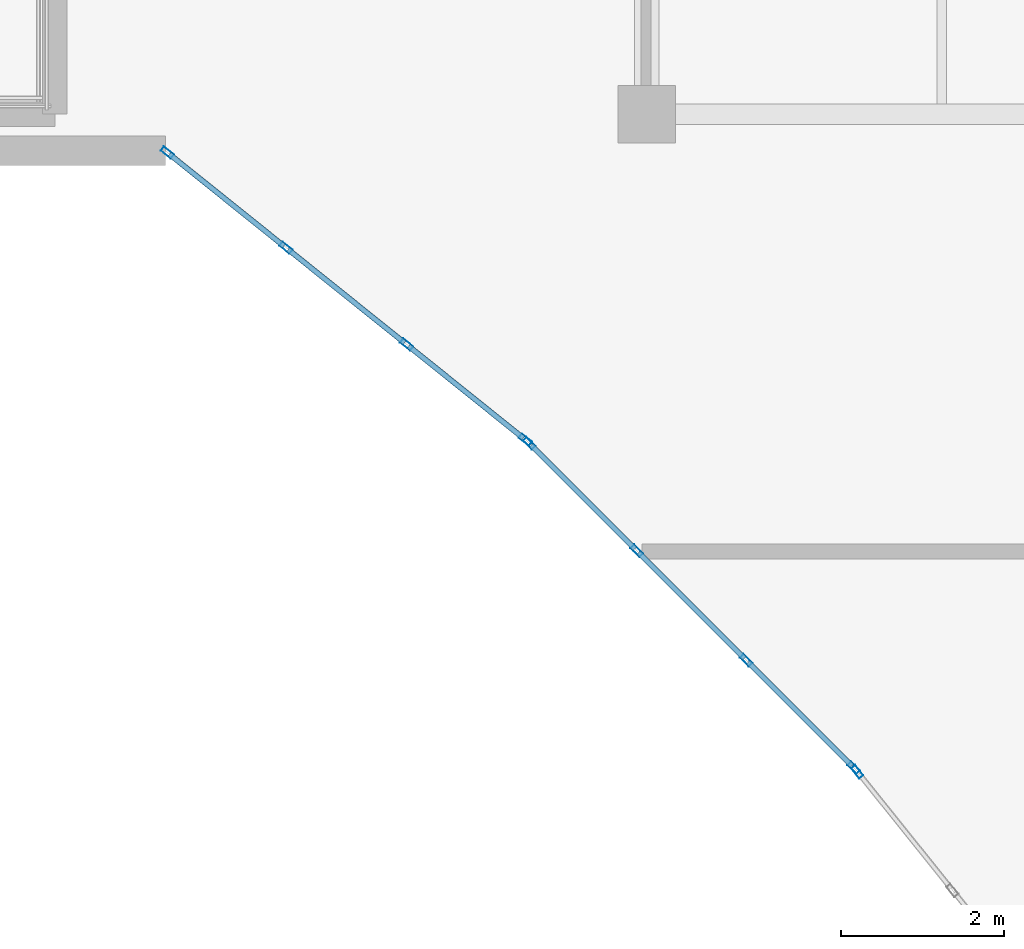
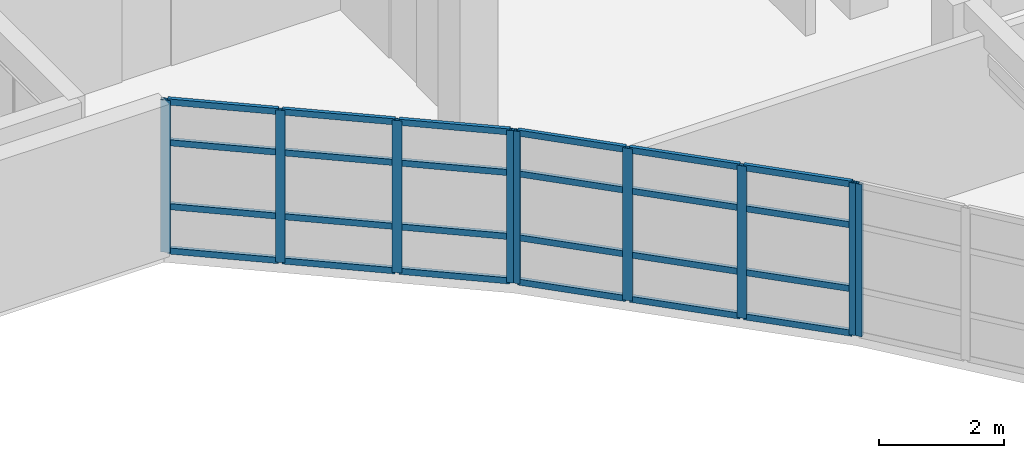
# One storey, part 65 of 128: 33 members, 3 elements without a shape of their own.
"""IFC4 building model written with IfcOpenShell, lengths in metres."""

import ifcopenshell
import ifcopenshell.guid

model = None  # the IFC model being written
_history = None  # IfcOwnerHistory: only IFC2X3 demands one
_inside = {}  # id of a spatial element -> (the spatial element, [elements in it])
_under = {}  # id of a project, library or spatial element -> (it, [spatial elements below it])
_declared = {}  # id of a project -> (the project, [libraries it declares])
_typed = {}  # id of a type object -> (the type object, [elements of that type])
_made_of = {}  # id of a material, layer set ... -> (it, [elements and type objects made of it])


def new_model(schema):
    """Start an empty IFC model of exactly this schema.

    Asked for "IFC4X3", IfcOpenShell would pick the latest addendum, in which some entities
    have other attributes; the version numbers below select the first issue.
    IFC2X3 requires an IfcOwnerHistory on every rooted entity: one is made here for all.
    """
    global model, _history
    if schema == "IFC4X3":
        model = ifcopenshell.file(schema_version=(4, 3, 0, 0))
    else:
        model = ifcopenshell.file(schema=schema)
    _inside.clear()
    _under.clear()
    _declared.clear()
    _typed.clear()
    _made_of.clear()
    _history = None
    if model.schema == "IFC2X3":
        org = make("IfcOrganization", Name="unknown")
        user = make(
            "IfcPersonAndOrganization",
            ThePerson=make("IfcPerson", FamilyName="unknown"),
            TheOrganization=org,
        )
        app = make(
            "IfcApplication",
            ApplicationDeveloper=org,
            Version="unknown",
            ApplicationFullName="unknown",
            ApplicationIdentifier="unknown",
        )
        _history = make(
            "IfcOwnerHistory",
            OwningUser=user,
            OwningApplication=app,
            ChangeAction="ADDED",
            CreationDate=0,
        )
    return model


def make(cls, **values):
    """One entity of the class cls with the attributes given. An attribute that is None is left unset."""
    return model.create_entity(
        cls, **{name: value for name, value in values.items() if value is not None}
    )


def rooted(cls, **values):
    """An entity with a GlobalId (a new one), such as an element, a storey or a relation."""
    return make(cls, GlobalId=ifcopenshell.guid.new(), OwnerHistory=_history, **values)


def si_unit(unit_type, name, prefix=None):
    """IfcSIUnit, for example si_unit("LENGTHUNIT", "METRE", prefix="MILLI")."""
    return make("IfcSIUnit", UnitType=unit_type, Prefix=prefix, Name=name)


def assignment(units):
    """IfcUnitAssignment: the units of a project."""
    return None if units is None else make("IfcUnitAssignment", Units=units)


def point(xyz):
    """IfcCartesianPoint."""
    return None if xyz is None else make("IfcCartesianPoint", Coordinates=xyz)


def direction(xyz):
    """IfcDirection."""
    return None if xyz is None else make("IfcDirection", DirectionRatios=xyz)


def frame(location, z_axis=None, x_axis=None):
    """IfcAxis2Placement3D, a coordinate frame: its origin and axes. An axis left out is left unset."""
    return make(
        "IfcAxis2Placement3D",
        Location=point(location),
        Axis=direction(z_axis),
        RefDirection=direction(x_axis),
    )


def frame_2d(location, x_axis=None):
    """IfcAxis2Placement2D, a coordinate frame in the plane: its origin and x axis."""
    return make(
        "IfcAxis2Placement2D", Location=point(location), RefDirection=direction(x_axis)
    )


def origin():
    """The frame at (0, 0, 0) with its axes left unset."""
    return frame((0.0, 0.0, 0.0))


def origin_2d():
    """The frame at (0, 0) in the plane with its x axis left unset."""
    return frame_2d((0.0, 0.0))


def place(relative_to, where):
    """IfcLocalPlacement: puts the frame where relative to a parent placement (None: the world)."""
    return make(
        "IfcLocalPlacement", PlacementRelTo=relative_to, RelativePlacement=where
    )


def context(
    kind, dimensions, precision=None, world=None, true_north=None, identifier=None
):
    """IfcGeometricRepresentationContext, for example the 3D "Model" context."""
    return make(
        "IfcGeometricRepresentationContext",
        ContextIdentifier=identifier,
        ContextType=kind,
        CoordinateSpaceDimension=dimensions,
        Precision=precision,
        WorldCoordinateSystem=world,
        TrueNorth=true_north,
    )


def subcontext(parent, identifier, kind, view, scale=None):
    """IfcGeometricRepresentationSubContext, for example "Body" below "Model"."""
    return make(
        "IfcGeometricRepresentationSubContext",
        ContextIdentifier=identifier,
        ContextType=kind,
        ParentContext=parent,
        TargetScale=scale,
        TargetView=view,
    )


def project(units=None, contexts=None):
    """IfcProject with its units and contexts."""
    return rooted(
        "IfcProject",
        Name="project",
        RepresentationContexts=contexts,
        UnitsInContext=assignment(units),
    )


def spatial(cls, under=None, at=None, **own):
    """A site, building, storey or space (cls), placed at a placement, below another one or the project."""
    s = rooted(cls, ObjectPlacement=at, **own)
    if under is not None:
        _under.setdefault(under.id(), (under, []))[1].append(s)
    return s


def profile(cls, at=None, kind="AREA", **sizes):
    """A parametric profile (cls). Its sizes go by their IFC names, for example OverallWidth=200.0."""
    return make(cls, ProfileType=kind, Position=at, **sizes)


def hollow_rectangle(**sizes):
    """IfcRectangleHollowProfileDef."""
    return profile("IfcRectangleHollowProfileDef", **sizes)


def extrude(swept, where, along, depth):
    """IfcExtrudedAreaSolid: the profile swept, set in the frame where, extruded along a direction by depth."""
    return make(
        "IfcExtrudedAreaSolid",
        SweptArea=swept,
        Position=where,
        ExtrudedDirection=direction(along),
        Depth=depth,
    )


def shape(context_of_items, identifier, shape_type, items):
    """IfcShapeRepresentation: the items that make up one representation, for example the "Body"."""
    return make(
        "IfcShapeRepresentation",
        ContextOfItems=context_of_items,
        RepresentationIdentifier=identifier,
        RepresentationType=shape_type,
        Items=items,
    )


def material(Name=None, Category=None):
    """IfcMaterial."""
    return make("IfcMaterial", Name=Name, Category=Category)


def layer(
    of_material, thickness, ventilated=None, Name=None, Category=None, Priority=None
):
    """IfcMaterialLayer: one layer of a wall or slab, of a material (None: an air gap)."""
    return make(
        "IfcMaterialLayer",
        Material=of_material,
        LayerThickness=thickness,
        IsVentilated=ventilated,
        Name=Name,
        Category=Category,
        Priority=Priority,
    )


def layer_set(layers, Name=None):
    """IfcMaterialLayerSet."""
    return make("IfcMaterialLayerSet", MaterialLayers=layers, LayerSetName=Name)


def material_profile(
    of_material, cross_section, Name=None, Category=None, Priority=None
):
    """IfcMaterialProfile: a cross section and its material."""
    return make(
        "IfcMaterialProfile",
        Name=Name,
        Material=of_material,
        Profile=cross_section,
        Priority=Priority,
        Category=Category,
    )


def profile_set(profiles, Name=None, composite=None):
    """IfcMaterialProfileSet."""
    return make(
        "IfcMaterialProfileSet",
        Name=Name,
        MaterialProfiles=profiles,
        CompositeProfile=composite,
    )


def made_of(thing, what):
    """Note that an element or type object is made of a material, layer set ...; save() writes the relation."""
    if what is not None:
        _made_of.setdefault(what.id(), (what, []))[1].append(thing)
    return thing


def type_object(cls, material=None, **own):
    """A type object (cls), such as IfcWallType, which elements share."""
    return made_of(rooted(cls, **own), material)


def element(
    cls,
    number,
    at=None,
    inside=None,
    cuts=None,
    type_object=None,
    material=None,
    context=None,
    identifier="Body",
    shape_type=None,
    held_by="IfcProductDefinitionShape",
    body=None,
    shapes=None,
    **own,
):
    """One element of the class cls, such as IfcWall. Its Tag is "e" and its number.

    at: its placement. inside: the storey or other place that contains it. cuts: it is an
    opening in that element (IfcRelVoidsElement). A single representation is given by context,
    identifier, shape_type and body (its items); several are given by shapes. held_by: the class
    of the entity that holds the representations. save() writes the other relations.
    """
    e = rooted(cls, Tag="e%d" % number, ObjectPlacement=at, **own)
    if body is not None:
        shapes = [shape(context, identifier, shape_type, body)]
    if shapes is not None:
        e.Representation = make(held_by, Representations=shapes)
    if inside is not None:
        _inside.setdefault(inside.id(), (inside, []))[1].append(e)
    if cuts is not None:
        rooted(
            "IfcRelVoidsElement", RelatingBuildingElement=cuts, RelatedOpeningElement=e
        )
    if type_object is not None:
        _typed.setdefault(type_object.id(), (type_object, []))[1].append(e)
    return made_of(e, material)


def aggregate(whole, parts):
    """IfcRelAggregates: a whole, such as a stair, and the parts it consists of."""
    return rooted("IfcRelAggregates", RelatingObject=whole, RelatedObjects=parts)


def save(model, path):
    """Write the relations noted so far, then the file.

    IfcRelAggregates (storeys below a building ...), IfcRelContainedInSpatialStructure (elements
    in a storey), IfcRelDefinesByType, IfcRelAssociatesMaterial and IfcRelDeclares: one each for
    every whole, place, type object, material and project.
    """
    for whole, parts in _under.values():
        aggregate(whole, parts)
    for where, things in _inside.values():
        rooted(
            "IfcRelContainedInSpatialStructure",
            RelatedElements=things,
            RelatingStructure=where,
        )
    for kind, things in _typed.values():
        rooted("IfcRelDefinesByType", RelatedObjects=things, RelatingType=kind)
    for what, things in _made_of.values():
        rooted("IfcRelAssociatesMaterial", RelatedObjects=things, RelatingMaterial=what)
    for by, libraries in _declared.values():
        rooted("IfcRelDeclares", RelatingContext=by, RelatedDefinitions=libraries)
    model.write(path)


model = new_model("IFC4")

# Units and contexts
model_context = context("Model", 3, precision=1e-05, world=origin(), true_north=direction((0.0, 1.0)))
body_context = subcontext(model_context, "Body", "Model", "MODEL_VIEW")
ifc_project = project(units=[si_unit("LENGTHUNIT", "METRE"), si_unit("AREAUNIT", "SQUARE_METRE"), si_unit("VOLUMEUNIT", "CUBIC_METRE"), si_unit("PLANEANGLEUNIT", "RADIAN"), si_unit("MASSUNIT", "GRAM", prefix="KILO")], contexts=[model_context])

# Site, building, storey
site_placement = place(None, origin())
site = spatial("IfcSite", under=ifc_project, at=site_placement, CompositionType="ELEMENT")
building_placement = place(site_placement, origin())
building = spatial("IfcBuilding", under=site, at=building_placement, Name="Keldmere Railside Commons", CompositionType="ELEMENT")
storey_placement = place(building_placement, frame((0.0, 0.0, 4.159912109375)))
storey = spatial("IfcBuildingStorey", under=building, at=storey_placement, Name="L01", CompositionType="ELEMENT", Elevation=4.159912109375)

# Curtain wall, members
ifc_material = material(Name="Thermally Broken Aluminium", Category="aluminium")
ifc_layer_1 = layer(ifc_material, 0.159912109375, Name="Court Chord Wintergarden CW 5400x2850")
ifc_layer_set_1 = layer_set([ifc_layer_1], Name="Thermally Broken Aluminium")
curtain_wall_type_1 = type_object("IfcCurtainWallType", Name="Court Chord Wintergarden CW 5400x2850", PredefinedType="NOTDEFINED", material=ifc_layer_set_1)
curtain_wall_1_placement = place(storey_placement, origin())
curtain_wall_1 = element("IfcCurtainWall", 1, at=curtain_wall_1_placement, inside=storey, type_object=curtain_wall_type_1, Name="CW-13 CW-L01-160", PredefinedType="NOTDEFINED")
ifc_material_profile_1 = material_profile(ifc_material, hollow_rectangle(XDim=0.06494140625, YDim=0.159912109375, WallThickness=0.00390625, at=origin_2d()), Name="ALU-MULL-65x160")
ifc_profile_set_1 = profile_set([ifc_material_profile_1], Name="Thermally Broken Aluminium")
member_type_1 = type_object("IfcMemberType", Name="Unitised Curtain Wall Mullion 65x160", PredefinedType="MULLION", material=ifc_profile_set_1)
member_1_placement = place(storey_placement, frame((160.404541015625, 96.46630859375, 0.0), z_axis=(0.0, 0.0, 1.0), x_axis=(-0.625768080915, -0.780009172323, 0.0)))
member_1 = element("IfcMember", 2, at=member_1_placement, type_object=member_type_1, Name="CW-13 mullion 1", PredefinedType="MULLION", context=body_context, shape_type="SweptSolid", body=[
    extrude(hollow_rectangle(XDim=0.06494140625, YDim=0.159912109375, WallThickness=0.00390625, at=origin_2d()), origin(), (0.0, 0.0, 1.0), 2.97998046875),
])
member_2_placement = place(storey_placement, frame((158.953369140625, 97.630615234375, 0.0), z_axis=(0.0, 0.0, 1.0), x_axis=(-0.625768080915, -0.780009172323, 0.0)))
member_2 = element("IfcMember", 3, at=member_2_placement, type_object=member_type_1, Name="CW-13 mullion 2", PredefinedType="MULLION", context=body_context, shape_type="SweptSolid", body=[
    extrude(hollow_rectangle(XDim=0.06494140625, YDim=0.159912109375, WallThickness=0.00390625, at=origin_2d()), origin(), (0.0, 0.0, 1.0), 2.97998046875),
])
member_3_placement = place(storey_placement, frame((157.4765625, 98.8154296875, 0.0), z_axis=(0.0, 0.0, 1.0), x_axis=(-0.625768080915, -0.780009172323, 0.0)))
member_3 = element("IfcMember", 4, at=member_3_placement, type_object=member_type_1, Name="CW-13 mullion 3", PredefinedType="MULLION", context=body_context, shape_type="SweptSolid", body=[
    extrude(hollow_rectangle(XDim=0.06494140625, YDim=0.159912109375, WallThickness=0.00390625, at=origin_2d()), origin(), (0.0, 0.0, 1.0), 2.97998046875),
])
member_4_placement = place(storey_placement, frame((156.025390625, 99.979736328125, 0.0), z_axis=(0.0, 0.0, 1.0), x_axis=(-0.625768080915, -0.780009172323, 0.0)))
member_4 = element("IfcMember", 5, at=member_4_placement, type_object=member_type_1, Name="CW-13 mullion 4", PredefinedType="MULLION", context=body_context, shape_type="SweptSolid", body=[
    extrude(hollow_rectangle(XDim=0.06494140625, YDim=0.159912109375, WallThickness=0.00390625, at=origin_2d()), origin(), (0.0, 0.0, 1.0), 2.97998046875),
])

ifc_layer_2 = layer(ifc_material, 0.159912109375, Name="Court Chord Wintergarden CW 4800x2850")
ifc_layer_set_2 = layer_set([ifc_layer_2], Name="Thermally Broken Aluminium")
curtain_wall_type_2 = type_object("IfcCurtainWallType", Name="Court Chord Wintergarden CW 4800x2850", PredefinedType="NOTDEFINED", material=ifc_layer_set_2)
curtain_wall_2_placement = place(storey_placement, origin())
curtain_wall_2 = element("IfcCurtainWall", 6, at=curtain_wall_2_placement, inside=storey, type_object=curtain_wall_type_2, Name="CW-12 CW-L01-161", PredefinedType="NOTDEFINED")
member_5_placement = place(storey_placement, frame((164.423095703125, 92.452880859375, 0.0), z_axis=(0.0, 0.0, 1.0), x_axis=(-0.707106781187, -0.707106781187, 0.0)))
member_5 = element("IfcMember", 7, at=member_5_placement, type_object=member_type_1, Name="CW-12 mullion 1", PredefinedType="MULLION", context=body_context, shape_type="SweptSolid", body=[
    extrude(hollow_rectangle(XDim=0.06494140625, YDim=0.159912109375, WallThickness=0.00390625, at=origin_2d()), origin(), (0.0, 0.0, 1.0), 2.97998046875),
])
member_6_placement = place(storey_placement, frame((163.107421875, 93.7685546875, 0.0), z_axis=(0.0, 0.0, 1.0), x_axis=(-0.707106781187, -0.707106781187, 0.0)))
member_6 = element("IfcMember", 8, at=member_6_placement, type_object=member_type_1, Name="CW-12 mullion 2", PredefinedType="MULLION", context=body_context, shape_type="SweptSolid", body=[
    extrude(hollow_rectangle(XDim=0.06494140625, YDim=0.159912109375, WallThickness=0.00390625, at=origin_2d()), origin(), (0.0, 0.0, 1.0), 2.97998046875),
])
member_7_placement = place(storey_placement, frame((161.7685546875, 95.107421875, 0.0), z_axis=(0.0, 0.0, 1.0), x_axis=(-0.707106781187, -0.707106781187, 0.0)))
member_7 = element("IfcMember", 9, at=member_7_placement, type_object=member_type_1, Name="CW-12 mullion 3", PredefinedType="MULLION", context=body_context, shape_type="SweptSolid", body=[
    extrude(hollow_rectangle(XDim=0.06494140625, YDim=0.159912109375, WallThickness=0.00390625, at=origin_2d()), origin(), (0.0, 0.0, 1.0), 2.97998046875),
])
member_8_placement = place(storey_placement, frame((160.452880859375, 96.423095703125, 0.0), z_axis=(0.0, 0.0, 1.0), x_axis=(-0.707106781187, -0.707106781187, 0.0)))
member_8 = element("IfcMember", 10, at=member_8_placement, type_object=member_type_1, Name="CW-12 mullion 4", PredefinedType="MULLION", context=body_context, shape_type="SweptSolid", body=[
    extrude(hollow_rectangle(XDim=0.06494140625, YDim=0.159912109375, WallThickness=0.00390625, at=origin_2d()), origin(), (0.0, 0.0, 1.0), 2.97998046875),
])

# Curtain wall, member
curtain_wall_3_placement = place(storey_placement, origin())
curtain_wall_3 = element("IfcCurtainWall", 11, at=curtain_wall_3_placement, inside=storey, type_object=curtain_wall_type_1, Name="CW-13 CW-L01-162", PredefinedType="NOTDEFINED")
member_9_placement = place(storey_placement, frame((164.46630859375, 92.404541015625, 0.0), z_axis=(0.0, 0.0, 1.0), x_axis=(-0.780009172323, -0.625768080915, 0.0)))
member_9 = element("IfcMember", 12, at=member_9_placement, type_object=member_type_1, Name="CW-13 mullion 4", PredefinedType="MULLION", context=body_context, shape_type="SweptSolid", body=[
    extrude(hollow_rectangle(XDim=0.06494140625, YDim=0.159912109375, WallThickness=0.00390625, at=origin_2d()), origin(), (0.0, 0.0, 1.0), 2.97998046875),
])
aggregate(curtain_wall_3, [member_9])

# Member
ifc_material_profile_2 = material_profile(ifc_material, hollow_rectangle(XDim=0.06494140625, YDim=0.1201171875, WallThickness=0.00390625, at=origin_2d()), Name="ALU-TRAN-65x120")
ifc_profile_set_2 = profile_set([ifc_material_profile_2], Name="Thermally Broken Aluminium")
member_type_2 = type_object("IfcMemberType", Name="Unitised Curtain Wall Transom 65x120", PredefinedType="USERDEFINED", material=ifc_profile_set_2)
member_10_placement = place(storey_placement, frame((160.37939453125, 96.486572265625, 0.032470703125), z_axis=(-0.779979331565, 0.625805275091, 0.0), x_axis=(-0.625805275091, -0.779979331565, 0.0)))
member_10 = element("IfcMember", 13, at=member_10_placement, type_object=member_type_2, Name="CW-13 transom 1.1", ObjectType="TRANSOM", PredefinedType="USERDEFINED", context=body_context, shape_type="SweptSolid", body=[
    extrude(hollow_rectangle(XDim=0.06494140625, YDim=0.1201171875, WallThickness=0.00390625, at=origin_2d()), origin(), (0.0, 0.0, 1.0), 1.795654296875),
])

member_11_placement = place(storey_placement, frame((160.37939453125, 96.486572265625, 0.900146484375), z_axis=(-0.779979331565, 0.625805275091, 0.0), x_axis=(-0.625805275091, -0.779979331565, 0.0)))
member_11 = element("IfcMember", 14, at=member_11_placement, type_object=member_type_2, Name="CW-13 transom 1.2", ObjectType="TRANSOM", PredefinedType="USERDEFINED", context=body_context, shape_type="SweptSolid", body=[
    extrude(hollow_rectangle(XDim=0.06494140625, YDim=0.1201171875, WallThickness=0.00390625, at=origin_2d()), origin(), (0.0, 0.0, 1.0), 1.795654296875),
])

member_12_placement = place(storey_placement, frame((160.37939453125, 96.486572265625, 2.150146484375), z_axis=(-0.779979331565, 0.625805275091, 0.0), x_axis=(-0.625805275091, -0.779979331565, 0.0)))
member_12 = element("IfcMember", 15, at=member_12_placement, type_object=member_type_2, Name="CW-13 transom 1.3", ObjectType="TRANSOM", PredefinedType="USERDEFINED", context=body_context, shape_type="SweptSolid", body=[
    extrude(hollow_rectangle(XDim=0.06494140625, YDim=0.1201171875, WallThickness=0.00390625, at=origin_2d()), origin(), (0.0, 0.0, 1.0), 1.795654296875),
])

member_13_placement = place(storey_placement, frame((160.37939453125, 96.486572265625, 2.947509765625), z_axis=(-0.779979331565, 0.625805275091, 0.0), x_axis=(-0.625805275091, -0.779979331565, 0.0)))
member_13 = element("IfcMember", 16, at=member_13_placement, type_object=member_type_2, Name="CW-13 transom 1.4", ObjectType="TRANSOM", PredefinedType="USERDEFINED", context=body_context, shape_type="SweptSolid", body=[
    extrude(hollow_rectangle(XDim=0.06494140625, YDim=0.1201171875, WallThickness=0.00390625, at=origin_2d()), origin(), (0.0, 0.0, 1.0), 1.795654296875),
])

member_14_placement = place(storey_placement, frame((158.927978515625, 97.651123046875, 0.032470703125), z_axis=(-0.78007338409, 0.625688033635, 0.0), x_axis=(-0.625688033635, -0.78007338409, 0.0)))
member_14 = element("IfcMember", 17, at=member_14_placement, type_object=member_type_2, Name="CW-13 transom 2.1", ObjectType="TRANSOM", PredefinedType="USERDEFINED", context=body_context, shape_type="SweptSolid", body=[
    extrude(hollow_rectangle(XDim=0.06494140625, YDim=0.1201171875, WallThickness=0.00390625, at=origin_2d()), origin(), (0.0, 0.0, 1.0), 1.828125),
])

member_15_placement = place(storey_placement, frame((158.927978515625, 97.651123046875, 0.900146484375), z_axis=(-0.78007338409, 0.625688033635, 0.0), x_axis=(-0.625688033635, -0.78007338409, 0.0)))
member_15 = element("IfcMember", 18, at=member_15_placement, type_object=member_type_2, Name="CW-13 transom 2.2", ObjectType="TRANSOM", PredefinedType="USERDEFINED", context=body_context, shape_type="SweptSolid", body=[
    extrude(hollow_rectangle(XDim=0.06494140625, YDim=0.1201171875, WallThickness=0.00390625, at=origin_2d()), origin(), (0.0, 0.0, 1.0), 1.828125),
])

member_16_placement = place(storey_placement, frame((158.927978515625, 97.651123046875, 2.150146484375), z_axis=(-0.78007338409, 0.625688033635, 0.0), x_axis=(-0.625688033635, -0.78007338409, 0.0)))
member_16 = element("IfcMember", 19, at=member_16_placement, type_object=member_type_2, Name="CW-13 transom 2.3", ObjectType="TRANSOM", PredefinedType="USERDEFINED", context=body_context, shape_type="SweptSolid", body=[
    extrude(hollow_rectangle(XDim=0.06494140625, YDim=0.1201171875, WallThickness=0.00390625, at=origin_2d()), origin(), (0.0, 0.0, 1.0), 1.828125),
])

member_17_placement = place(storey_placement, frame((158.927978515625, 97.651123046875, 2.947509765625), z_axis=(-0.78007338409, 0.625688033635, 0.0), x_axis=(-0.625688033635, -0.78007338409, 0.0)))
member_17 = element("IfcMember", 20, at=member_17_placement, type_object=member_type_2, Name="CW-13 transom 2.4", ObjectType="TRANSOM", PredefinedType="USERDEFINED", context=body_context, shape_type="SweptSolid", body=[
    extrude(hollow_rectangle(XDim=0.06494140625, YDim=0.1201171875, WallThickness=0.00390625, at=origin_2d()), origin(), (0.0, 0.0, 1.0), 1.828125),
])

member_18_placement = place(storey_placement, frame((157.451416015625, 98.835693359375, 0.032470703125), z_axis=(-0.780045694992, 0.625722553313, 0.0), x_axis=(-0.625722553313, -0.780045694992, 0.0)))
member_18 = element("IfcMember", 21, at=member_18_placement, type_object=member_type_2, Name="CW-13 transom 3.1", ObjectType="TRANSOM", PredefinedType="USERDEFINED", context=body_context, shape_type="SweptSolid", body=[
    extrude(hollow_rectangle(XDim=0.06494140625, YDim=0.1201171875, WallThickness=0.00390625, at=origin_2d()), origin(), (0.0, 0.0, 1.0), 1.795654296875),
])

member_19_placement = place(storey_placement, frame((157.451416015625, 98.835693359375, 0.900146484375), z_axis=(-0.780045694992, 0.625722553313, 0.0), x_axis=(-0.625722553313, -0.780045694992, 0.0)))
member_19 = element("IfcMember", 22, at=member_19_placement, type_object=member_type_2, Name="CW-13 transom 3.2", ObjectType="TRANSOM", PredefinedType="USERDEFINED", context=body_context, shape_type="SweptSolid", body=[
    extrude(hollow_rectangle(XDim=0.06494140625, YDim=0.1201171875, WallThickness=0.00390625, at=origin_2d()), origin(), (0.0, 0.0, 1.0), 1.795654296875),
])

member_20_placement = place(storey_placement, frame((157.451416015625, 98.835693359375, 2.150146484375), z_axis=(-0.780045694992, 0.625722553313, 0.0), x_axis=(-0.625722553313, -0.780045694992, 0.0)))
member_20 = element("IfcMember", 23, at=member_20_placement, type_object=member_type_2, Name="CW-13 transom 3.3", ObjectType="TRANSOM", PredefinedType="USERDEFINED", context=body_context, shape_type="SweptSolid", body=[
    extrude(hollow_rectangle(XDim=0.06494140625, YDim=0.1201171875, WallThickness=0.00390625, at=origin_2d()), origin(), (0.0, 0.0, 1.0), 1.795654296875),
])

member_21_placement = place(storey_placement, frame((157.451416015625, 98.835693359375, 2.947509765625), z_axis=(-0.780045694992, 0.625722553313, 0.0), x_axis=(-0.625722553313, -0.780045694992, 0.0)))
member_21 = element("IfcMember", 24, at=member_21_placement, type_object=member_type_2, Name="CW-13 transom 3.4", ObjectType="TRANSOM", PredefinedType="USERDEFINED", context=body_context, shape_type="SweptSolid", body=[
    extrude(hollow_rectangle(XDim=0.06494140625, YDim=0.1201171875, WallThickness=0.00390625, at=origin_2d()), origin(), (0.0, 0.0, 1.0), 1.795654296875),
])

aggregate(curtain_wall_1, [member_1, member_2, member_3, member_4, member_10, member_11, member_12, member_13, member_14, member_15, member_16, member_17, member_18, member_19, member_20, member_21])

member_22_placement = place(storey_placement, frame((164.400146484375, 92.47607421875, 0.032470703125), z_axis=(-0.707174762418, 0.707038793419, 0.0), x_axis=(-0.707038793419, -0.707174762418, 0.0)))
member_22 = element("IfcMember", 25, at=member_22_placement, type_object=member_type_2, Name="CW-12 transom 1.1", ObjectType="TRANSOM", PredefinedType="USERDEFINED", context=body_context, shape_type="SweptSolid", body=[
    extrude(hollow_rectangle(XDim=0.06494140625, YDim=0.1201171875, WallThickness=0.00390625, at=origin_2d()), origin(), (0.0, 0.0, 1.0), 1.795654296875),
])

member_23_placement = place(storey_placement, frame((164.400146484375, 92.47607421875, 0.900146484375), z_axis=(-0.707174762418, 0.707038793419, 0.0), x_axis=(-0.707038793419, -0.707174762418, 0.0)))
member_23 = element("IfcMember", 26, at=member_23_placement, type_object=member_type_2, Name="CW-12 transom 1.2", ObjectType="TRANSOM", PredefinedType="USERDEFINED", context=body_context, shape_type="SweptSolid", body=[
    extrude(hollow_rectangle(XDim=0.06494140625, YDim=0.1201171875, WallThickness=0.00390625, at=origin_2d()), origin(), (0.0, 0.0, 1.0), 1.795654296875),
])

member_24_placement = place(storey_placement, frame((164.400146484375, 92.47607421875, 2.150146484375), z_axis=(-0.707174762418, 0.707038793419, 0.0), x_axis=(-0.707038793419, -0.707174762418, 0.0)))
member_24 = element("IfcMember", 27, at=member_24_placement, type_object=member_type_2, Name="CW-12 transom 1.3", ObjectType="TRANSOM", PredefinedType="USERDEFINED", context=body_context, shape_type="SweptSolid", body=[
    extrude(hollow_rectangle(XDim=0.06494140625, YDim=0.1201171875, WallThickness=0.00390625, at=origin_2d()), origin(), (0.0, 0.0, 1.0), 1.795654296875),
])

member_25_placement = place(storey_placement, frame((164.400146484375, 92.47607421875, 2.947509765625), z_axis=(-0.707174762418, 0.707038793419, 0.0), x_axis=(-0.707038793419, -0.707174762418, 0.0)))
member_25 = element("IfcMember", 28, at=member_25_placement, type_object=member_type_2, Name="CW-12 transom 1.4", ObjectType="TRANSOM", PredefinedType="USERDEFINED", context=body_context, shape_type="SweptSolid", body=[
    extrude(hollow_rectangle(XDim=0.06494140625, YDim=0.1201171875, WallThickness=0.00390625, at=origin_2d()), origin(), (0.0, 0.0, 1.0), 1.795654296875),
])

member_26_placement = place(storey_placement, frame((163.08447265625, 93.791748046875, 0.032470703125), z_axis=(-0.707106781187, 0.707106781187, 0.0), x_axis=(-0.707106781187, -0.707106781187, 0.0)))
member_26 = element("IfcMember", 29, at=member_26_placement, type_object=member_type_2, Name="CW-12 transom 2.1", ObjectType="TRANSOM", PredefinedType="USERDEFINED", context=body_context, shape_type="SweptSolid", body=[
    extrude(hollow_rectangle(XDim=0.06494140625, YDim=0.1201171875, WallThickness=0.00390625, at=origin_2d()), origin(), (0.0, 0.0, 1.0), 1.828125),
])

member_27_placement = place(storey_placement, frame((163.08447265625, 93.791748046875, 0.900146484375), z_axis=(-0.707106781187, 0.707106781187, 0.0), x_axis=(-0.707106781187, -0.707106781187, 0.0)))
member_27 = element("IfcMember", 30, at=member_27_placement, type_object=member_type_2, Name="CW-12 transom 2.2", ObjectType="TRANSOM", PredefinedType="USERDEFINED", context=body_context, shape_type="SweptSolid", body=[
    extrude(hollow_rectangle(XDim=0.06494140625, YDim=0.1201171875, WallThickness=0.00390625, at=origin_2d()), origin(), (0.0, 0.0, 1.0), 1.828125),
])

member_28_placement = place(storey_placement, frame((163.08447265625, 93.791748046875, 2.150146484375), z_axis=(-0.707106781187, 0.707106781187, 0.0), x_axis=(-0.707106781187, -0.707106781187, 0.0)))
member_28 = element("IfcMember", 31, at=member_28_placement, type_object=member_type_2, Name="CW-12 transom 2.3", ObjectType="TRANSOM", PredefinedType="USERDEFINED", context=body_context, shape_type="SweptSolid", body=[
    extrude(hollow_rectangle(XDim=0.06494140625, YDim=0.1201171875, WallThickness=0.00390625, at=origin_2d()), origin(), (0.0, 0.0, 1.0), 1.828125),
])

member_29_placement = place(storey_placement, frame((163.08447265625, 93.791748046875, 2.947509765625), z_axis=(-0.707106781187, 0.707106781187, 0.0), x_axis=(-0.707106781187, -0.707106781187, 0.0)))
member_29 = element("IfcMember", 32, at=member_29_placement, type_object=member_type_2, Name="CW-12 transom 2.4", ObjectType="TRANSOM", PredefinedType="USERDEFINED", context=body_context, shape_type="SweptSolid", body=[
    extrude(hollow_rectangle(XDim=0.06494140625, YDim=0.1201171875, WallThickness=0.00390625, at=origin_2d()), origin(), (0.0, 0.0, 1.0), 1.828125),
])

member_30_placement = place(storey_placement, frame((161.74560546875, 95.13037109375, 0.032470703125), z_axis=(-0.707038793419, 0.707174762418, 0.0), x_axis=(-0.707174762418, -0.707038793419, 0.0)))
member_30 = element("IfcMember", 33, at=member_30_placement, type_object=member_type_2, Name="CW-12 transom 3.1", ObjectType="TRANSOM", PredefinedType="USERDEFINED", context=body_context, shape_type="SweptSolid", body=[
    extrude(hollow_rectangle(XDim=0.06494140625, YDim=0.1201171875, WallThickness=0.00390625, at=origin_2d()), origin(), (0.0, 0.0, 1.0), 1.795654296875),
])

member_31_placement = place(storey_placement, frame((161.74560546875, 95.13037109375, 0.900146484375), z_axis=(-0.707038793419, 0.707174762418, 0.0), x_axis=(-0.707174762418, -0.707038793419, 0.0)))
member_31 = element("IfcMember", 34, at=member_31_placement, type_object=member_type_2, Name="CW-12 transom 3.2", ObjectType="TRANSOM", PredefinedType="USERDEFINED", context=body_context, shape_type="SweptSolid", body=[
    extrude(hollow_rectangle(XDim=0.06494140625, YDim=0.1201171875, WallThickness=0.00390625, at=origin_2d()), origin(), (0.0, 0.0, 1.0), 1.795654296875),
])

member_32_placement = place(storey_placement, frame((161.74560546875, 95.13037109375, 2.150146484375), z_axis=(-0.707038793419, 0.707174762418, 0.0), x_axis=(-0.707174762418, -0.707038793419, 0.0)))
member_32 = element("IfcMember", 35, at=member_32_placement, type_object=member_type_2, Name="CW-12 transom 3.3", ObjectType="TRANSOM", PredefinedType="USERDEFINED", context=body_context, shape_type="SweptSolid", body=[
    extrude(hollow_rectangle(XDim=0.06494140625, YDim=0.1201171875, WallThickness=0.00390625, at=origin_2d()), origin(), (0.0, 0.0, 1.0), 1.795654296875),
])

member_33_placement = place(storey_placement, frame((161.74560546875, 95.13037109375, 2.947509765625), z_axis=(-0.707038793419, 0.707174762418, 0.0), x_axis=(-0.707174762418, -0.707038793419, 0.0)))
member_33 = element("IfcMember", 36, at=member_33_placement, type_object=member_type_2, Name="CW-12 transom 3.4", ObjectType="TRANSOM", PredefinedType="USERDEFINED", context=body_context, shape_type="SweptSolid", body=[
    extrude(hollow_rectangle(XDim=0.06494140625, YDim=0.1201171875, WallThickness=0.00390625, at=origin_2d()), origin(), (0.0, 0.0, 1.0), 1.795654296875),
])

aggregate(curtain_wall_2, [member_5, member_6, member_7, member_8, member_22, member_23, member_24, member_25, member_26, member_27, member_28, member_29, member_30, member_31, member_32, member_33])

save(model, "model.ifc")
